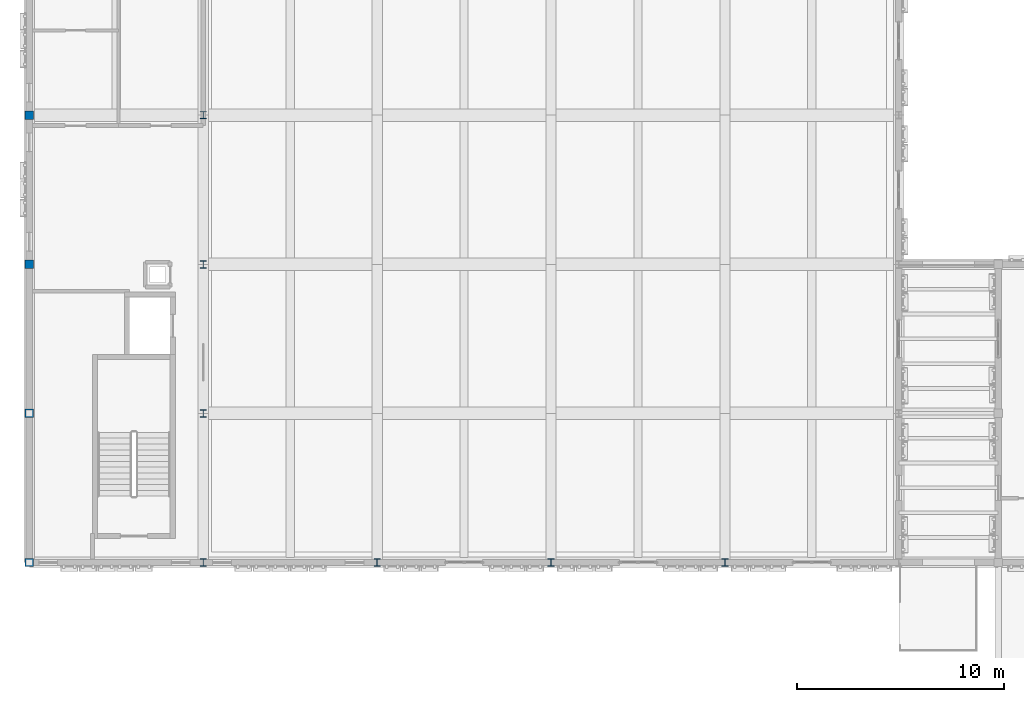
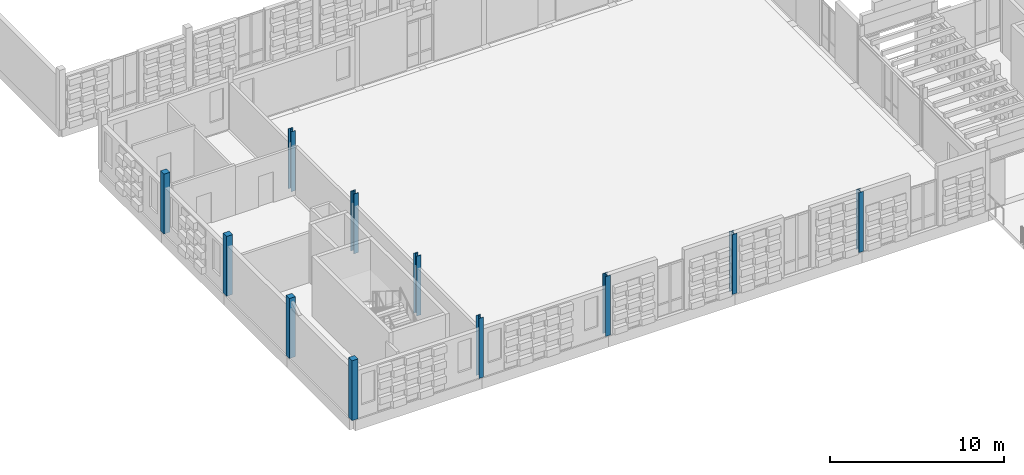
# One storey, part 1 of 99: 11 columns.
"""IFC4 building model written with IfcOpenShell, lengths in metres."""

from ifc_helpers import new_model, si_unit, direction, frame, origin, origin_2d, place, context, subcontext, project, spatial, rectangle, i_section, extrude, material, material_profile, profile_set, type_object, element, save


model = new_model("IFC4")

# Units and contexts
model_context = context("Model", 3, precision=1e-05, world=origin(), true_north=direction((0.0, 1.0)))
body_context = subcontext(model_context, "Body", "Model", "MODEL_VIEW")
ifc_project = project(units=[si_unit("LENGTHUNIT", "METRE"), si_unit("AREAUNIT", "SQUARE_METRE"), si_unit("VOLUMEUNIT", "CUBIC_METRE"), si_unit("PLANEANGLEUNIT", "RADIAN"), si_unit("MASSUNIT", "GRAM", prefix="KILO")], contexts=[model_context])

# Site, building, storey
site_placement = place(None, origin())
site = spatial("IfcSite", under=ifc_project, at=site_placement, CompositionType="ELEMENT")
building_placement = place(site_placement, origin())
building = spatial("IfcBuilding", under=site, at=building_placement, Name="Kahlenmark Community Centre", CompositionType="ELEMENT")
storey_placement = place(building_placement, frame((0.0, 0.0, 5.39990234375)))
storey = spatial("IfcBuildingStorey", under=building, at=storey_placement, Name="L01", CompositionType="ELEMENT", Elevation=5.39990234375)

# Columns
ifc_material_1 = material(Name="Glulam GL32h", Category="wood")
ifc_material_profile_1 = material_profile(ifc_material_1, rectangle(XDim=0.39990234375, YDim=0.39990234375, at=origin_2d()), Name="GL32h 400x400")
ifc_profile_set_1 = profile_set([ifc_material_profile_1], Name="Glulam GL32h")
column_type_1 = type_object("IfcColumnType", Name="CT-GL400", PredefinedType="COLUMN", material=ifc_profile_set_1)
for number, where, z_axis, x_axis, name in (
    (1, (4.0, 8.800048828125, 0.0), (0.0, 0.0, 1.0), (1.0, 0.0, 0.0), "L01 column (4.0, 8.8)"),
    (2, (4.0, 16.0, 0.0), (0.0, 0.0, 1.0), (1.0, 0.0, 0.0), "L01 column (4.0, 16.0)"),
    (3, (4.0, 23.199951171875, 0.0), (0.0, 0.0, 1.0), (1.0, 0.0, 0.0), "L01 column (4.0, 23.2)"),
    (4, (4.0, 30.39990234375, 0.0), (0.0, 0.0, 1.0), (1.0, 0.0, 0.0), "L01 column (4.0, 30.4)"),
):
    element("IfcColumn", number, at=place(storey_placement, frame(where, z_axis=z_axis, x_axis=x_axis)), inside=storey, type_object=column_type_1, Name=name, PredefinedType="COLUMN", context=body_context, shape_type="SweptSolid", body=[
        extrude(rectangle(XDim=0.39990234375, YDim=0.39990234375, at=origin_2d()), origin(), (0.0, 0.0, 1.0), 4.2001953125),
    ])
ifc_material_2 = material(Name="Steel S355", Category="steel")
ifc_material_profile_2 = material_profile(ifc_material_2, i_section(OverallWidth=0.300048828125, OverallDepth=0.360107421875, WebThickness=0.012451171875, FlangeThickness=0.0224609375, at=origin_2d()), Name="HEB 360")
ifc_profile_set_2 = profile_set([ifc_material_profile_2], Name="Steel S355")
column_type_2 = type_object("IfcColumnType", Name="CT-HEB360", PredefinedType="COLUMN", material=ifc_profile_set_2)
for number, where, z_axis, x_axis, name in (
    (5, (12.39990234375, 8.800048828125, 0.0), (0.0, 0.0, 1.0), (1.0, 0.0, 0.0), "L01 column (12.4, 8.8)"),
    (6, (12.39990234375, 16.0, 0.0), (0.0, 0.0, 1.0), (1.0, 0.0, 0.0), "L01 column (12.4, 16.0)"),
    (7, (12.39990234375, 23.199951171875, 0.0), (0.0, 0.0, 1.0), (1.0, 0.0, 0.0), "L01 column (12.4, 23.2)"),
    (8, (12.39990234375, 30.39990234375, 0.0), (0.0, 0.0, 1.0), (1.0, 0.0, 0.0), "L01 column (12.4, 30.4)"),
    (9, (20.800048828125, 8.800048828125, 0.0), (0.0, 0.0, 1.0), (1.0, 0.0, 0.0), "L01 column (20.8, 8.8)"),
    (10, (29.199951171875, 8.800048828125, 0.0), (0.0, 0.0, 1.0), (1.0, 0.0, 0.0), "L01 column (29.2, 8.8)"),
    (11, (37.60009765625, 8.800048828125, 0.0), (0.0, 0.0, 1.0), (1.0, 0.0, 0.0), "L01 column (37.6, 8.8)"),
):
    element("IfcColumn", number, at=place(storey_placement, frame(where, z_axis=z_axis, x_axis=x_axis)), inside=storey, type_object=column_type_2, Name=name, PredefinedType="COLUMN", context=body_context, shape_type="SweptSolid", body=[
        extrude(i_section(OverallWidth=0.300048828125, OverallDepth=0.360107421875, WebThickness=0.012451171875, FlangeThickness=0.0224609375, at=origin_2d()), origin(), (0.0, 0.0, 1.0), 4.2001953125),
    ])

save(model, "model.ifc")
